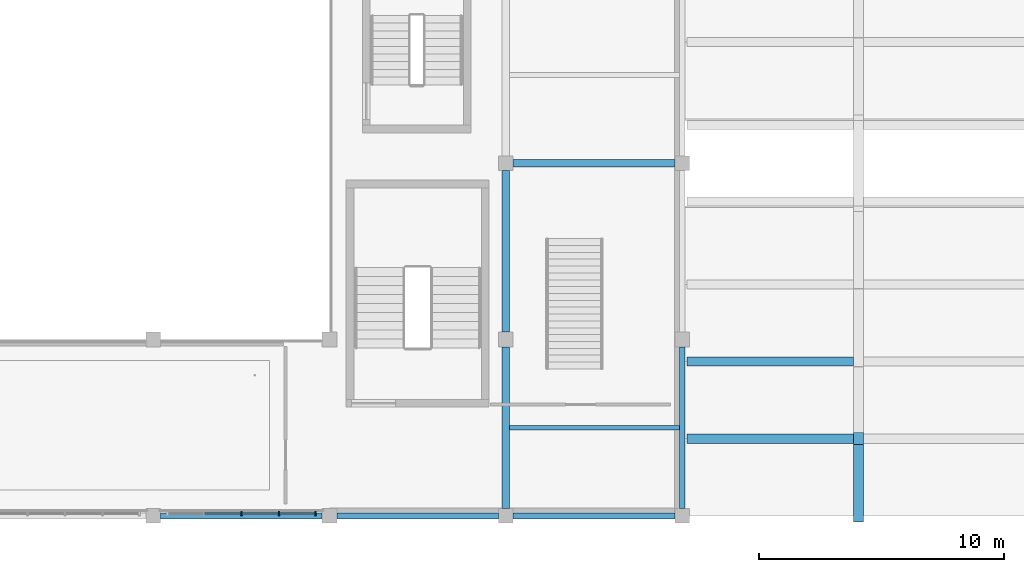
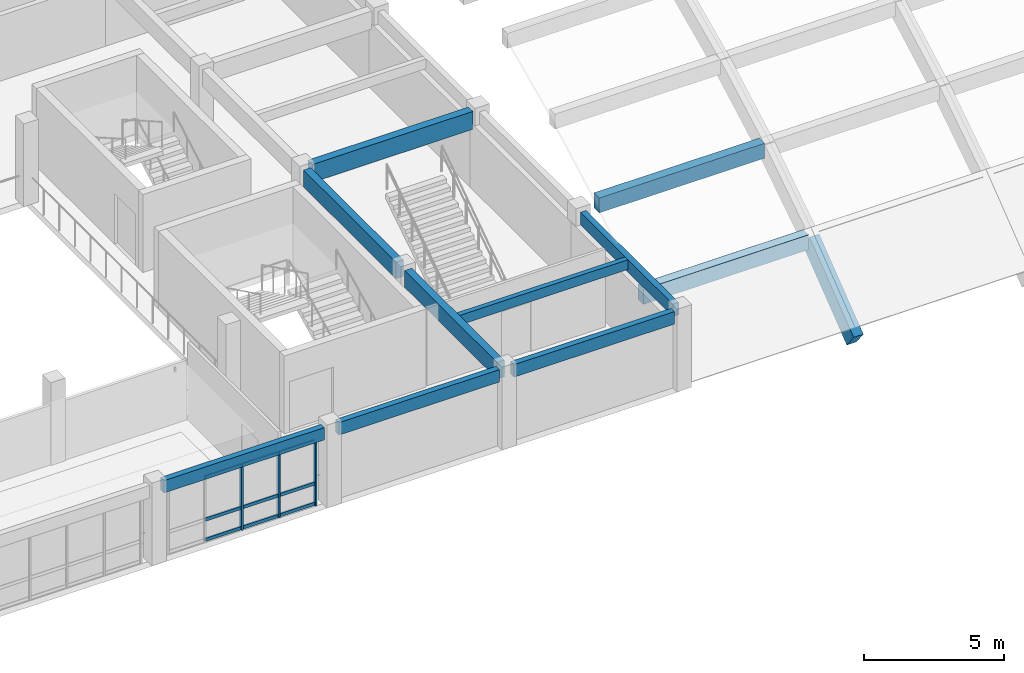
# One storey, part 13 of 85: 12 members, 11 beams, 1 element without a shape of its own.
"""IFC4 building model written with IfcOpenShell, lengths in metres."""

from ifc_helpers import new_model, si_unit, direction, frame, origin, origin_2d, place, context, subcontext, project, spatial, rectangle, extrude, material, material_profile, profile_set, type_object, element, aggregate, save


model = new_model("IFC4")

# Units and contexts
model_context = context("Model", 3, precision=1e-05, world=origin(), true_north=direction((0.0, 1.0)))
body_context = subcontext(model_context, "Body", "Model", "MODEL_VIEW")
ifc_project = project(units=[si_unit("LENGTHUNIT", "METRE"), si_unit("AREAUNIT", "SQUARE_METRE"), si_unit("VOLUMEUNIT", "CUBIC_METRE"), si_unit("PLANEANGLEUNIT", "RADIAN"), si_unit("MASSUNIT", "GRAM", prefix="KILO")], contexts=[model_context])

# Site, building, storey
site_placement = place(None, origin())
site = spatial("IfcSite", under=ifc_project, at=site_placement, CompositionType="ELEMENT")
building_placement = place(site_placement, origin())
building = spatial("IfcBuilding", under=site, at=building_placement, Name="Alvorim Cloister Faculty of Sciences", CompositionType="ELEMENT")
storey_placement = place(building_placement, frame((0.0, 0.0, 8.550048828125)))
storey = spatial("IfcBuildingStorey", under=building, at=storey_placement, Name="L02", CompositionType="ELEMENT", Elevation=8.550048828125)

# Beams
ifc_material_1 = material(Name="Concrete C40", Category="concrete")
ifc_material_profile_1 = material_profile(ifc_material_1, rectangle(XDim=0.39990234375, YDim=0.800048828125, at=origin_2d()), Name="RC40-ARCH-400x800")
ifc_profile_set_1 = profile_set([ifc_material_profile_1], Name="Concrete C40")
beam_type_1 = type_object("IfcBeamType", Name="BM-ARCH-400x800", PredefinedType="BEAM", material=ifc_profile_set_1)
beam_1_placement = place(storey_placement, frame((122.39990234375, 0.0, -0.526123046875), z_axis=(0.0, 0.78931927421, 0.61398296667), x_axis=(-1.0, 0.0, 0.0)))
element("IfcBeam", 1, at=beam_1_placement, inside=storey, type_object=beam_type_1, Name="SH-V1 Pointed Arch Rib Chord BM-2265", PredefinedType="BEAM", context=body_context, shape_type="SweptSolid", body=[
    extrude(rectangle(XDim=0.39990234375, YDim=0.800048828125, at=origin_2d()), origin(), (0.0, 0.0, 1.0), 3.99072265625),
])
ifc_material_2 = material(Name="Glulam GL32h", Category="wood")
ifc_material_profile_2 = material_profile(ifc_material_2, rectangle(XDim=0.300048828125, YDim=0.719970703125, at=origin_2d()), Name="GL32-BM-300x720")
ifc_profile_set_2 = profile_set([ifc_material_profile_2], Name="Glulam GL32h")
beam_type_2 = type_object("IfcBeamType", Name="BM-GL-300x720", PredefinedType="BEAM", material=ifc_profile_set_2)
beam_2_placement = place(storey_placement, frame((108.0, 0.300048828125, 3.030029296875), z_axis=(0.0, 1.0, 0.0), x_axis=(-1.0, 0.0, 0.0)))
element("IfcBeam", 2, at=beam_2_placement, inside=storey, type_object=beam_type_2, Name="L02 Primary Girder BM-1429", PredefinedType="BEAM", context=body_context, shape_type="SweptSolid", body=[
    extrude(rectangle(XDim=0.300048828125, YDim=0.719970703125, at=origin_2d()), origin(), (0.0, 0.0, 1.0), 6.599853515625),
])
beam_3_placement = place(storey_placement, frame((108.0, 7.5, 3.030029296875), z_axis=(0.0, 1.0, 0.0), x_axis=(-1.0, 0.0, 0.0)))
element("IfcBeam", 3, at=beam_3_placement, inside=storey, type_object=beam_type_2, Name="L02 Primary Girder BM-1430", PredefinedType="BEAM", context=body_context, shape_type="SweptSolid", body=[
    extrude(rectangle(XDim=0.300048828125, YDim=0.719970703125, at=origin_2d()), origin(), (0.0, 0.0, 1.0), 6.60009765625),
])
ifc_material_profile_3 = material_profile(ifc_material_2, rectangle(XDim=0.320068359375, YDim=0.780029296875, at=origin_2d()), Name="GL32-BM-320x780")
ifc_profile_set_3 = profile_set([ifc_material_profile_3], Name="Glulam GL32h")
beam_type_3 = type_object("IfcBeamType", Name="BM-GL-320x780", PredefinedType="BEAM", material=ifc_profile_set_3)
beam_4_placement = place(storey_placement, frame((108.300048828125, 14.39990234375, 3.0), z_axis=(1.0, 0.0, 0.0), x_axis=(0.0, 1.0, 0.0)))
element("IfcBeam", 4, at=beam_4_placement, inside=storey, type_object=beam_type_3, Name="L02 Primary Beam BM-1275", PredefinedType="BEAM", context=body_context, shape_type="SweptSolid", body=[
    extrude(rectangle(XDim=0.320068359375, YDim=0.780029296875, at=origin_2d()), origin(), (0.0, 0.0, 1.0), 6.599853515625),
])
ifc_material_3 = material(Name="Glulam GL28h", Category="wood")
ifc_material_profile_4 = material_profile(ifc_material_3, rectangle(XDim=0.199951171875, YDim=0.419921875, at=origin_2d()), Name="GL28-JST-200x420")
ifc_profile_set_4 = profile_set([ifc_material_profile_4], Name="Glulam GL28h")
beam_type_4 = type_object("IfcBeamType", Name="BM-JST-GL-200x420", PredefinedType="JOIST", material=ifc_profile_set_4)
beam_5_placement = place(storey_placement, frame((108.14990234375, 3.60009765625, 3.179931640625), z_axis=(1.0, 0.0, 0.0), x_axis=(0.0, 1.0, 0.0)))
element("IfcBeam", 5, at=beam_5_placement, inside=storey, type_object=beam_type_4, Name="L02 Secondary Floor Joist BM-1497", PredefinedType="JOIST", context=body_context, shape_type="SweptSolid", body=[
    extrude(rectangle(XDim=0.199951171875, YDim=0.419921875, at=origin_2d()), origin(), (0.0, 0.0, 1.0), 6.93017578125),
])
ifc_material_profile_5 = material_profile(ifc_material_1, rectangle(XDim=0.3798828125, YDim=0.64990234375, at=origin_2d()), Name="RC40-BM-380x650")
ifc_profile_set_5 = profile_set([ifc_material_profile_5], Name="Concrete C40")
beam_type_5 = type_object("IfcBeamType", Name="BM-RC-380x650", PredefinedType="BEAM", material=ifc_profile_set_5)
for number, where, z_axis, x_axis, name in (
    (6, (115.39990234375, 3.14990234375, 1.98486328125), (1.0, 0.0, 0.0), (0.0, 1.0, 0.0), "L02 SH-V1 Vault Stringer BM-2328"),
    (7, (115.39990234375, 6.300048828125, 4.049560546875), (1.0, 0.0, 0.0), (0.0, 1.0, 0.0), "L02 SH-V1 Vault Stringer BM-2335"),
):
    element("IfcBeam", number, at=place(storey_placement, frame(where, z_axis=z_axis, x_axis=x_axis)), inside=storey, type_object=beam_type_5, Name=name, PredefinedType="BEAM", context=body_context, shape_type="SweptSolid", body=[
        extrude(rectangle(XDim=0.3798828125, YDim=0.64990234375, at=origin_2d()), origin(), (0.0, 0.0, 1.0), 6.800048828125),
    ])
ifc_material_profile_6 = material_profile(ifc_material_3, rectangle(XDim=0.239990234375, YDim=0.5400390625, at=origin_2d()), Name="GL28-SPD-240x540")
ifc_profile_set_6 = profile_set([ifc_material_profile_6], Name="Glulam GL28h")
beam_type_6 = type_object("IfcBeamType", Name="BM-SPD-GL-240x540", PredefinedType="SPANDREL", material=ifc_profile_set_6)
beam_6_placement = place(storey_placement, frame((93.89990234375, 0.0, 3.119873046875), z_axis=(1.0, 0.0, 0.0), x_axis=(0.0, 1.0, 0.0)))
element("IfcBeam", 8, at=beam_6_placement, inside=storey, type_object=beam_type_6, Name="L02 Primary Beam BM-1254", PredefinedType="SPANDREL", context=body_context, shape_type="SweptSolid", body=[
    extrude(rectangle(XDim=0.239990234375, YDim=0.5400390625, at=origin_2d()), origin(), (0.0, 0.0, 1.0), 6.60009765625),
])
for number, where, z_axis, x_axis, name in (
    (9, (101.10009765625, 0.0, 3.119873046875), (1.0, 0.0, 0.0), (0.0, 1.0, 0.0), "L02 Primary Beam BM-1255"),
    (10, (108.300048828125, 0.0, 3.119873046875), (1.0, 0.0, 0.0), (0.0, 1.0, 0.0), "L02 Primary Beam BM-1256"),
    (11, (115.199951171875, 0.300048828125, 3.119873046875), (0.0, 1.0, 0.0), (-1.0, 0.0, 0.0), "L02 Primary Girder BM-1433"),
):
    element("IfcBeam", number, at=place(storey_placement, frame(where, z_axis=z_axis, x_axis=x_axis)), inside=storey, type_object=beam_type_6, Name=name, PredefinedType="SPANDREL", context=body_context, shape_type="SweptSolid", body=[
        extrude(rectangle(XDim=0.239990234375, YDim=0.5400390625, at=origin_2d()), origin(), (0.0, 0.0, 1.0), 6.599853515625),
    ])

# Curtain wall, members
ifc_material_4 = material(Name="Aluminium and Low-E Glass Curtain Wall", Category="aluminium")
curtain_wall_type = type_object("IfcCurtainWallType", Name="CW-GLZ-6120x2850", PredefinedType="USERDEFINED", material=ifc_material_4)
curtain_wall_placement = place(storey_placement, origin())
curtain_wall = element("IfcCurtainWall", 12, at=curtain_wall_placement, inside=storey, type_object=curtain_wall_type, Name="L02 Entrance and Atrium Glazed Curtain Wall CW-0090", ObjectType="UNITISED CURTAIN WALL", PredefinedType="USERDEFINED")
ifc_material_5 = material(Name="Aluminium Alloy 6063-T6", Category="aluminium")
ifc_material_profile_7 = material_profile(ifc_material_5, rectangle(XDim=0.06494140625, YDim=0.179931640625, at=origin_2d()), Name="ALU-MUL-65x180")
ifc_profile_set_7 = profile_set([ifc_material_profile_7], Name="Aluminium Alloy 6063-T6")
member_type_1 = type_object("IfcMemberType", Name="CW-MUL-65x180", PredefinedType="MULLION", material=ifc_profile_set_7)
member_1_placement = place(storey_placement, frame((97.199951171875, 0.090087890625, 0.0), z_axis=(0.0, 0.0, 1.0), x_axis=(1.0, 0.0, 0.0)))
member_1 = element("IfcMember", 13, at=member_1_placement, type_object=member_type_1, Name="CW-10 mullion 3", PredefinedType="MULLION", context=body_context, shape_type="SweptSolid", body=[
    extrude(rectangle(XDim=0.06494140625, YDim=0.179931640625, at=origin_2d()), origin(), (0.0, 0.0, 1.0), 2.849853515625),
])
member_2_placement = place(storey_placement, frame((98.72998046875, 0.090087890625, 0.0), z_axis=(0.0, 0.0, 1.0), x_axis=(1.0, 0.0, 0.0)))
member_2 = element("IfcMember", 14, at=member_2_placement, type_object=member_type_1, Name="CW-10 mullion 4", PredefinedType="MULLION", context=body_context, shape_type="SweptSolid", body=[
    extrude(rectangle(XDim=0.06494140625, YDim=0.179931640625, at=origin_2d()), origin(), (0.0, 0.0, 1.0), 2.849853515625),
])
member_3_placement = place(storey_placement, frame((100.2275390625, 0.090087890625, 0.0), z_axis=(0.0, 0.0, 1.0), x_axis=(1.0, 0.0, 0.0)))
member_3 = element("IfcMember", 15, at=member_3_placement, type_object=member_type_1, Name="CW-10 mullion 5", PredefinedType="MULLION", context=body_context, shape_type="SweptSolid", body=[
    extrude(rectangle(XDim=0.06494140625, YDim=0.179931640625, at=origin_2d()), origin(), (0.0, 0.0, 1.0), 2.849853515625),
])
ifc_material_profile_8 = material_profile(ifc_material_5, rectangle(XDim=0.06494140625, YDim=0.139892578125, at=origin_2d()), Name="ALU-TRN-65x140")
ifc_profile_set_8 = profile_set([ifc_material_profile_8], Name="Aluminium Alloy 6063-T6")
member_type_2 = type_object("IfcMemberType", Name="CW-TRN-65x140", PredefinedType="USERDEFINED", material=ifc_profile_set_8)
member_4_placement = place(storey_placement, frame((95.702392578125, 0.090087890625, 0.070068359375), z_axis=(1.0, 0.0, 0.0), x_axis=(0.0, 1.0, 0.0)))
member_4 = element("IfcMember", 16, at=member_4_placement, type_object=member_type_2, Name="CW-10 transom 2.1", ObjectType="TRANSOM", PredefinedType="USERDEFINED", context=body_context, shape_type="SweptSolid", body=[
    extrude(rectangle(XDim=0.06494140625, YDim=0.139892578125, at=origin_2d()), origin(), (0.0, 0.0, 1.0), 1.465087890625),
])
member_5_placement = place(storey_placement, frame((95.702392578125, 0.090087890625, 0.949951171875), z_axis=(1.0, 0.0, 0.0), x_axis=(0.0, 1.0, 0.0)))
member_5 = element("IfcMember", 17, at=member_5_placement, type_object=member_type_2, Name="CW-10 transom 2.2", ObjectType="TRANSOM", PredefinedType="USERDEFINED", context=body_context, shape_type="SweptSolid", body=[
    extrude(rectangle(XDim=0.06494140625, YDim=0.139892578125, at=origin_2d()), origin(), (0.0, 0.0, 1.0), 1.465087890625),
])
member_6_placement = place(storey_placement, frame((95.702392578125, 0.090087890625, 2.780029296875), z_axis=(1.0, 0.0, 0.0), x_axis=(0.0, 1.0, 0.0)))
member_6 = element("IfcMember", 18, at=member_6_placement, type_object=member_type_2, Name="CW-10 transom 2.3", ObjectType="TRANSOM", PredefinedType="USERDEFINED", context=body_context, shape_type="SweptSolid", body=[
    extrude(rectangle(XDim=0.06494140625, YDim=0.139892578125, at=origin_2d()), origin(), (0.0, 0.0, 1.0), 1.465087890625),
])
member_7_placement = place(storey_placement, frame((97.232421875, 0.090087890625, 0.070068359375), z_axis=(1.0, 0.0, 0.0), x_axis=(0.0, 1.0, 0.0)))
member_7 = element("IfcMember", 19, at=member_7_placement, type_object=member_type_2, Name="CW-10 transom 3.1", ObjectType="TRANSOM", PredefinedType="USERDEFINED", context=body_context, shape_type="SweptSolid", body=[
    extrude(rectangle(XDim=0.06494140625, YDim=0.139892578125, at=origin_2d()), origin(), (0.0, 0.0, 1.0), 1.465087890625),
])
member_8_placement = place(storey_placement, frame((97.232421875, 0.090087890625, 0.949951171875), z_axis=(1.0, 0.0, 0.0), x_axis=(0.0, 1.0, 0.0)))
member_8 = element("IfcMember", 20, at=member_8_placement, type_object=member_type_2, Name="CW-10 transom 3.2", ObjectType="TRANSOM", PredefinedType="USERDEFINED", context=body_context, shape_type="SweptSolid", body=[
    extrude(rectangle(XDim=0.06494140625, YDim=0.139892578125, at=origin_2d()), origin(), (0.0, 0.0, 1.0), 1.465087890625),
])
member_9_placement = place(storey_placement, frame((97.232421875, 0.090087890625, 2.780029296875), z_axis=(1.0, 0.0, 0.0), x_axis=(0.0, 1.0, 0.0)))
member_9 = element("IfcMember", 21, at=member_9_placement, type_object=member_type_2, Name="CW-10 transom 3.3", ObjectType="TRANSOM", PredefinedType="USERDEFINED", context=body_context, shape_type="SweptSolid", body=[
    extrude(rectangle(XDim=0.06494140625, YDim=0.139892578125, at=origin_2d()), origin(), (0.0, 0.0, 1.0), 1.465087890625),
])
member_10_placement = place(storey_placement, frame((98.762451171875, 0.090087890625, 0.070068359375), z_axis=(1.0, 0.0, 0.0), x_axis=(0.0, 1.0, 0.0)))
member_10 = element("IfcMember", 22, at=member_10_placement, type_object=member_type_2, Name="CW-10 transom 4.1", ObjectType="TRANSOM", PredefinedType="USERDEFINED", context=body_context, shape_type="SweptSolid", body=[
    extrude(rectangle(XDim=0.06494140625, YDim=0.139892578125, at=origin_2d()), origin(), (0.0, 0.0, 1.0), 1.4326171875),
])
member_11_placement = place(storey_placement, frame((98.762451171875, 0.090087890625, 0.949951171875), z_axis=(1.0, 0.0, 0.0), x_axis=(0.0, 1.0, 0.0)))
member_11 = element("IfcMember", 23, at=member_11_placement, type_object=member_type_2, Name="CW-10 transom 4.2", ObjectType="TRANSOM", PredefinedType="USERDEFINED", context=body_context, shape_type="SweptSolid", body=[
    extrude(rectangle(XDim=0.06494140625, YDim=0.139892578125, at=origin_2d()), origin(), (0.0, 0.0, 1.0), 1.4326171875),
])
member_12_placement = place(storey_placement, frame((98.762451171875, 0.090087890625, 2.780029296875), z_axis=(1.0, 0.0, 0.0), x_axis=(0.0, 1.0, 0.0)))
member_12 = element("IfcMember", 24, at=member_12_placement, type_object=member_type_2, Name="CW-10 transom 4.3", ObjectType="TRANSOM", PredefinedType="USERDEFINED", context=body_context, shape_type="SweptSolid", body=[
    extrude(rectangle(XDim=0.06494140625, YDim=0.139892578125, at=origin_2d()), origin(), (0.0, 0.0, 1.0), 1.4326171875),
])
aggregate(curtain_wall, [member_1, member_2, member_3, member_4, member_5, member_6, member_7, member_8, member_9, member_10, member_11, member_12])

save(model, "model.ifc")
